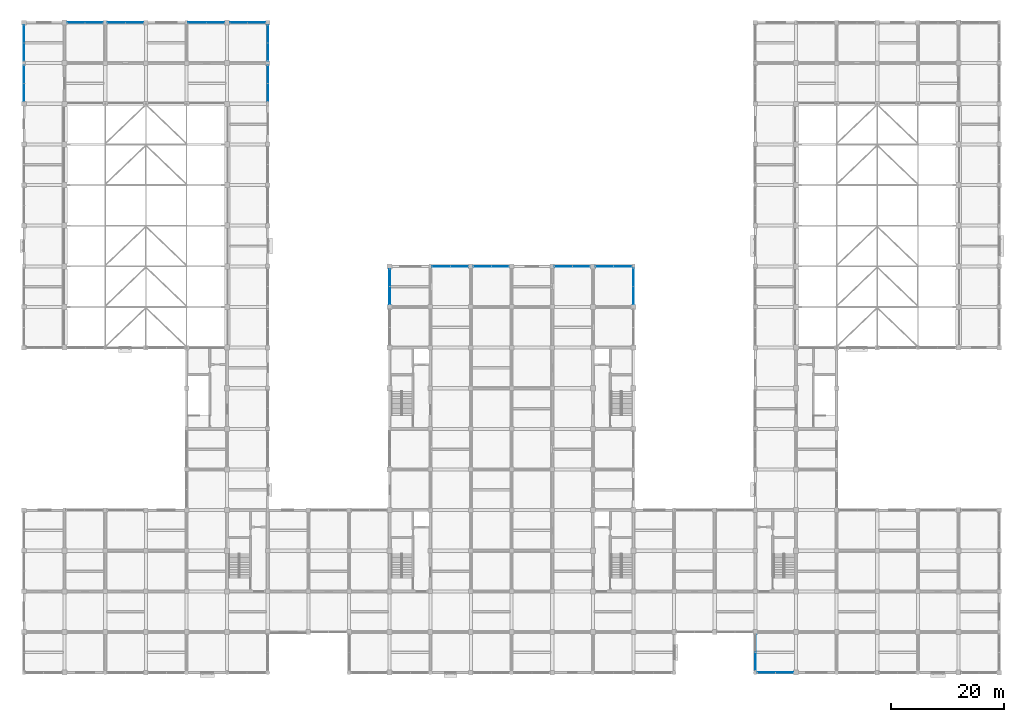
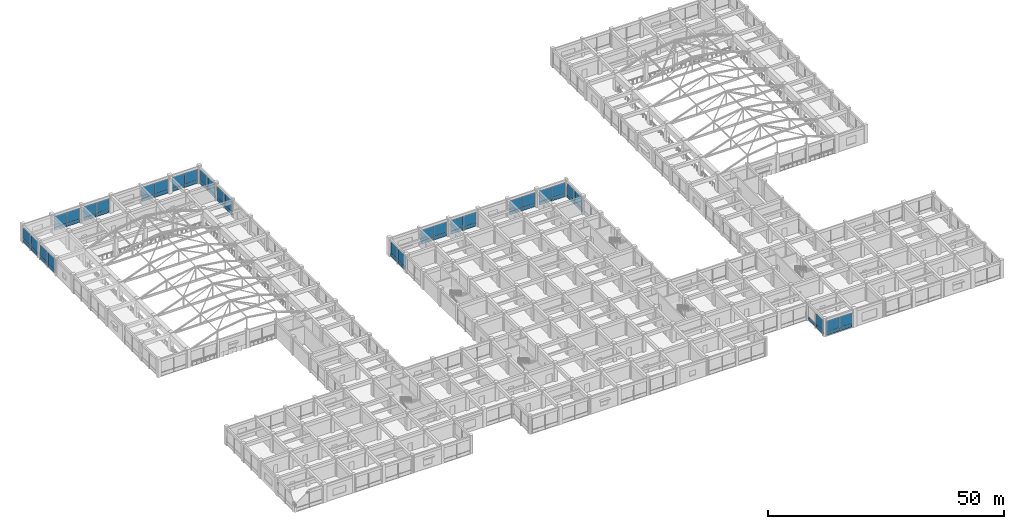
# One storey, part 50 of 75: 63 plates, 16 elements without a shape of their own.
"""IFC4 building model written with IfcOpenShell, lengths in metres."""

from ifc_helpers import new_model, si_unit, direction, frame, origin, origin_2d, place, context, subcontext, project, spatial, rectangle, extrude, material, layer, layer_set, type_object, element, aggregate, save


model = new_model("IFC4")

# Units and contexts
model_context = context("Model", 3, precision=1e-05, world=origin(), true_north=direction((0.0, 1.0)))
body_context = subcontext(model_context, "Body", "Model", "MODEL_VIEW")
ifc_project = project(units=[si_unit("LENGTHUNIT", "METRE"), si_unit("AREAUNIT", "SQUARE_METRE"), si_unit("VOLUMEUNIT", "CUBIC_METRE"), si_unit("PLANEANGLEUNIT", "RADIAN"), si_unit("MASSUNIT", "GRAM", prefix="KILO")], contexts=[model_context])

# Site, building, storey
site_placement = place(None, origin())
site = spatial("IfcSite", under=ifc_project, at=site_placement, CompositionType="ELEMENT")
building_placement = place(site_placement, origin())
building = spatial("IfcBuilding", under=site, at=building_placement, Name="Cendaluz Park School", CompositionType="ELEMENT")
storey_placement = place(building_placement, frame((0.0, 0.0, 4.800048828125)))
storey = spatial("IfcBuildingStorey", under=building, at=storey_placement, Name="L01", CompositionType="ELEMENT", Elevation=4.800048828125)

# Curtain wall, plates
ifc_material_1 = material(Name="Anodised Aluminium 6063-T6", Category="aluminium")
ifc_layer_1 = layer(ifc_material_1, 0.179931640625)
ifc_layer_set_1 = layer_set([ifc_layer_1], Name="Anodised Aluminium 6063-T6")
curtain_wall_type_1 = type_object("IfcCurtainWallType", Name="CW-128x77", PredefinedType="NOTDEFINED", material=ifc_layer_set_1)
curtain_wall_1_placement = place(storey_placement, origin())
curtain_wall_1 = element("IfcCurtainWall", 1, at=curtain_wall_1_placement, inside=storey, type_object=curtain_wall_type_1, Name="CW-L01-017", PredefinedType="NOTDEFINED")
ifc_material_2 = material(Name="Tempered Low-E Double Glazing", Category="glass")
ifc_layer_2 = layer(ifc_material_2, 0.028076171875)
ifc_layer_set_2 = layer_set([ifc_layer_2], Name="Tempered Low-E Double Glazing")
plate_type_1 = type_object("IfcPlateType", Name="CWP-G01", PredefinedType="CURTAIN_PANEL", material=ifc_layer_set_2)
plate_1_placement = place(storey_placement, frame((16.41748046875, 115.199951171875, 0.93505859375), z_axis=(0.0, 0.0, 1.0), x_axis=(1.0, 0.0, 0.0)))
plate_1 = element("IfcPlate", 2, at=plate_1_placement, type_object=plate_type_1, Name="CP-L01-0216", PredefinedType="CURTAIN_PANEL", context=body_context, shape_type="SweptSolid", body=[
    extrude(rectangle(XDim=3.094970703125, YDim=0.028076171875, at=origin_2d()), origin(), (0.0, 0.0, 1.0), 2.844970703125),
])
plate_2_placement = place(storey_placement, frame((19.58251953125, 115.199951171875, 0.93505859375), z_axis=(0.0, 0.0, 1.0), x_axis=(1.0, 0.0, 0.0)))
plate_2 = element("IfcPlate", 3, at=plate_2_placement, type_object=plate_type_1, Name="CP-L01-0221", PredefinedType="CURTAIN_PANEL", context=body_context, shape_type="SweptSolid", body=[
    extrude(rectangle(XDim=3.094970703125, YDim=0.028076171875, at=origin_2d()), origin(), (0.0, 0.0, 1.0), 2.844970703125),
])

curtain_wall_2_placement = place(storey_placement, origin())
curtain_wall_2 = element("IfcCurtainWall", 4, at=curtain_wall_2_placement, inside=storey, type_object=curtain_wall_type_1, Name="CW-L01-031", PredefinedType="NOTDEFINED")
plate_3_placement = place(storey_placement, frame((43.199951171875, 102.798828125, 0.93505859375), z_axis=(0.0, 0.0, 1.0), x_axis=(0.0, 1.0, 0.0)))
plate_3 = element("IfcPlate", 5, at=plate_3_placement, type_object=plate_type_1, Name="CP-L01-0398", PredefinedType="CURTAIN_PANEL", context=body_context, shape_type="SweptSolid", body=[
    extrude(rectangle(XDim=3.107421875, YDim=0.028076171875, at=origin_2d()), origin(), (0.0, 0.0, 1.0), 2.844970703125),
])
plate_4_placement = place(storey_placement, frame((43.199951171875, 105.976318359375, 0.93505859375), z_axis=(0.0, 0.0, 1.0), x_axis=(0.0, 1.0, 0.0)))
plate_4 = element("IfcPlate", 6, at=plate_4_placement, type_object=plate_type_1, Name="CP-L01-0403", PredefinedType="CURTAIN_PANEL", context=body_context, shape_type="SweptSolid", body=[
    extrude(rectangle(XDim=3.107421875, YDim=0.028076171875, at=origin_2d()), origin(), (0.0, 0.0, 1.0), 2.844970703125),
])

curtain_wall_3_placement = place(storey_placement, origin())
curtain_wall_3 = element("IfcCurtainWall", 7, at=curtain_wall_3_placement, inside=storey, type_object=curtain_wall_type_1, Name="CW-L01-033", PredefinedType="NOTDEFINED")
plate_5_placement = place(storey_placement, frame((43.199951171875, 110.017578125, 0.93505859375), z_axis=(0.0, 0.0, 1.0), x_axis=(0.0, 1.0, 0.0)))
plate_5 = element("IfcPlate", 8, at=plate_5_placement, type_object=plate_type_1, Name="CP-L01-0424", PredefinedType="CURTAIN_PANEL", context=body_context, shape_type="SweptSolid", body=[
    extrude(rectangle(XDim=3.094970703125, YDim=0.028076171875, at=origin_2d()), origin(), (0.0, 0.0, 1.0), 2.844970703125),
])
plate_6_placement = place(storey_placement, frame((43.199951171875, 113.1826171875, 0.93505859375), z_axis=(0.0, 0.0, 1.0), x_axis=(0.0, 1.0, 0.0)))
plate_6 = element("IfcPlate", 9, at=plate_6_placement, type_object=plate_type_1, Name="CP-L01-0429", PredefinedType="CURTAIN_PANEL", context=body_context, shape_type="SweptSolid", body=[
    extrude(rectangle(XDim=3.094970703125, YDim=0.028076171875, at=origin_2d()), origin(), (0.0, 0.0, 1.0), 2.844970703125),
])

ifc_layer_3 = layer(ifc_material_1, 0.179931640625)
ifc_layer_set_3 = layer_set([ifc_layer_3], Name="Anodised Aluminium 6063-T6")
curtain_wall_type_2 = type_object("IfcCurtainWallType", Name="CW-131x77", PredefinedType="NOTDEFINED", material=ifc_layer_set_3)
curtain_wall_4_placement = place(storey_placement, origin())
curtain_wall_4 = element("IfcCurtainWall", 10, at=curtain_wall_4_placement, inside=storey, type_object=curtain_wall_type_2, Name="CW-L01-043", PredefinedType="NOTDEFINED")
plate_7_placement = place(storey_placement, frame((73.905029296875, 72.0, 0.93505859375), z_axis=(0.0, 0.0, 1.0), x_axis=(1.0, 0.0, 0.0)))
plate_7 = element("IfcPlate", 11, at=plate_7_placement, type_object=plate_type_1, Name="CP-L01-0554", PredefinedType="CURTAIN_PANEL", context=body_context, shape_type="SweptSolid", body=[
    extrude(rectangle(XDim=3.169921875, YDim=0.028076171875, at=origin_2d()), origin(), (0.0, 0.0, 1.0), 2.844970703125),
])
plate_8_placement = place(storey_placement, frame((77.14501953125, 72.0, 0.93505859375), z_axis=(0.0, 0.0, 1.0), x_axis=(1.0, 0.0, 0.0)))
plate_8 = element("IfcPlate", 12, at=plate_8_placement, type_object=plate_type_1, Name="CP-L01-0559", PredefinedType="CURTAIN_PANEL", context=body_context, shape_type="SweptSolid", body=[
    extrude(rectangle(XDim=3.169921875, YDim=0.028076171875, at=origin_2d()), origin(), (0.0, 0.0, 1.0), 2.844970703125),
])

ifc_layer_4 = layer(ifc_material_1, 0.179931640625)
ifc_layer_set_4 = layer_set([ifc_layer_4], Name="Anodised Aluminium 6063-T6")
curtain_wall_type_3 = type_object("IfcCurtainWallType", Name="CW-130x77", PredefinedType="NOTDEFINED", material=ifc_layer_set_4)
curtain_wall_5_placement = place(storey_placement, origin())
curtain_wall_5 = element("IfcCurtainWall", 13, at=curtain_wall_5_placement, inside=storey, type_object=curtain_wall_type_3, Name="CW-L01-051", PredefinedType="NOTDEFINED")
plate_9_placement = place(storey_placement, frame((102.892578125, 72.0, 0.93505859375), z_axis=(0.0, 0.0, 1.0), x_axis=(1.0, 0.0, 0.0)))
plate_9 = element("IfcPlate", 14, at=plate_9_placement, type_object=plate_type_1, Name="CP-L01-0658", PredefinedType="CURTAIN_PANEL", context=body_context, shape_type="SweptSolid", body=[
    extrude(rectangle(XDim=3.14501953125, YDim=0.028076171875, at=origin_2d()), origin(), (0.0, 0.0, 1.0), 2.844970703125),
])
plate_10_placement = place(storey_placement, frame((106.107421875, 72.0, 0.93505859375), z_axis=(0.0, 0.0, 1.0), x_axis=(1.0, 0.0, 0.0)))
plate_10 = element("IfcPlate", 15, at=plate_10_placement, type_object=plate_type_1, Name="CP-L01-0663", PredefinedType="CURTAIN_PANEL", context=body_context, shape_type="SweptSolid", body=[
    extrude(rectangle(XDim=3.14501953125, YDim=0.028076171875, at=origin_2d()), origin(), (0.0, 0.0, 1.0), 2.844970703125),
])

curtain_wall_6_placement = place(storey_placement, origin())
curtain_wall_6 = element("IfcCurtainWall", 16, at=curtain_wall_6_placement, inside=storey, type_object=curtain_wall_type_1, Name="CW-L01-058", PredefinedType="NOTDEFINED")
plate_11_placement = place(storey_placement, frame((131.586181640625, 0.0, 0.93505859375), z_axis=(0.0, 0.0, 1.0), x_axis=(1.0, 0.0, 0.0)))
plate_11 = element("IfcPlate", 17, at=plate_11_placement, type_object=plate_type_1, Name="CP-L01-0749", PredefinedType="CURTAIN_PANEL", context=body_context, shape_type="SweptSolid", body=[
    extrude(rectangle(XDim=3.08251953125, YDim=0.028076171875, at=origin_2d()), origin(), (0.0, 0.0, 1.0), 2.844970703125),
])
plate_12_placement = place(storey_placement, frame((134.73876953125, 0.0, 0.93505859375), z_axis=(0.0, 0.0, 1.0), x_axis=(1.0, 0.0, 0.0)))
plate_12 = element("IfcPlate", 18, at=plate_12_placement, type_object=plate_type_1, Name="CP-L01-0754", PredefinedType="CURTAIN_PANEL", context=body_context, shape_type="SweptSolid", body=[
    extrude(rectangle(XDim=3.08251953125, YDim=0.028076171875, at=origin_2d()), origin(), (0.0, 0.0, 1.0), 2.844970703125),
])

# Curtain wall, plate
curtain_wall_7_placement = place(storey_placement, origin())
curtain_wall_7 = element("IfcCurtainWall", 19, at=curtain_wall_7_placement, inside=storey, type_object=curtain_wall_type_1, Name="CW-L01-059", PredefinedType="NOTDEFINED")
plate_13_placement = place(storey_placement, frame((129.60009765625, 1.998779296875, 0.93505859375), z_axis=(0.0, 0.0, 1.0), x_axis=(0.0, 1.0, 0.0)))
plate_13 = element("IfcPlate", 20, at=plate_13_placement, type_object=plate_type_1, Name="CP-L01-0762", PredefinedType="CURTAIN_PANEL", context=body_context, shape_type="SweptSolid", body=[
    extrude(rectangle(XDim=3.107421875, YDim=0.028076171875, at=origin_2d()), origin(), (0.0, 0.0, 1.0), 2.844970703125),
])

# Curtain wall, plates
curtain_wall_8_placement = place(storey_placement, origin())
curtain_wall_8 = element("IfcCurtainWall", 21, at=curtain_wall_8_placement, inside=storey, type_object=curtain_wall_type_1, Name="CW-L01-045", PredefinedType="NOTDEFINED")
ifc_layer_5 = layer(ifc_material_2, 0.0380859375)
ifc_layer_set_5 = layer_set([ifc_layer_5], Name="Tempered Low-E Double Glazing")
plate_type_2 = type_object("IfcPlateType", Name="CWP-G02", PredefinedType="CURTAIN_PANEL", material=ifc_layer_set_5)
plate_14_placement = place(storey_placement, frame((81.217529296875, 72.0, 0.93505859375), z_axis=(0.0, 0.0, 1.0), x_axis=(1.0, 0.0, 0.0)))
plate_14 = element("IfcPlate", 22, at=plate_14_placement, type_object=plate_type_2, Name="CP-L01-0580", PredefinedType="CURTAIN_PANEL", context=body_context, shape_type="SweptSolid", body=[
    extrude(rectangle(XDim=3.094970703125, YDim=0.0380859375, at=origin_2d()), origin(), (0.0, 0.0, 1.0), 2.844970703125),
])
plate_15_placement = place(storey_placement, frame((84.382568359375, 72.0, 0.93505859375), z_axis=(0.0, 0.0, 1.0), x_axis=(1.0, 0.0, 0.0)))
plate_15 = element("IfcPlate", 23, at=plate_15_placement, type_object=plate_type_2, Name="CP-L01-0585", PredefinedType="CURTAIN_PANEL", context=body_context, shape_type="SweptSolid", body=[
    extrude(rectangle(XDim=3.094970703125, YDim=0.0380859375, at=origin_2d()), origin(), (0.0, 0.0, 1.0), 2.844970703125),
])

curtain_wall_9_placement = place(storey_placement, origin())
curtain_wall_9 = element("IfcCurtainWall", 24, at=curtain_wall_9_placement, inside=storey, type_object=curtain_wall_type_1, Name="CW-L01-052", PredefinedType="NOTDEFINED")
plate_16_placement = place(storey_placement, frame((108.0, 66.861328125, 0.93505859375), z_axis=(0.0, 0.0, 1.0), x_axis=(0.0, 1.0, 0.0)))
plate_16 = element("IfcPlate", 25, at=plate_16_placement, type_object=plate_type_2, Name="CP-L01-0671", PredefinedType="CURTAIN_PANEL", context=body_context, shape_type="SweptSolid", body=[
    extrude(rectangle(XDim=3.08251953125, YDim=0.0380859375, at=origin_2d()), origin(), (0.0, 0.0, 1.0), 2.844970703125),
])
plate_17_placement = place(storey_placement, frame((108.0, 70.013671875, 0.93505859375), z_axis=(0.0, 0.0, 1.0), x_axis=(0.0, 1.0, 0.0)))
plate_17 = element("IfcPlate", 26, at=plate_17_placement, type_object=plate_type_2, Name="CP-L01-0676", PredefinedType="CURTAIN_PANEL", context=body_context, shape_type="SweptSolid", body=[
    extrude(rectangle(XDim=3.08251953125, YDim=0.0380859375, at=origin_2d()), origin(), (0.0, 0.0, 1.0), 2.844970703125),
])

curtain_wall_10_placement = place(storey_placement, origin())
curtain_wall_10 = element("IfcCurtainWall", 27, at=curtain_wall_10_placement, inside=storey, type_object=curtain_wall_type_1, Name="CW-L01-010", PredefinedType="NOTDEFINED")
ifc_layer_6 = layer(ifc_material_2, 0.048095703125)
ifc_layer_set_6 = layer_set([ifc_layer_6], Name="Tempered Low-E Double Glazing")
plate_type_3 = type_object("IfcPlateType", Name="CWP-G03", PredefinedType="CURTAIN_PANEL", material=ifc_layer_set_6)
plate_18_placement = place(storey_placement, frame((0.0, 102.82373046875, 0.93505859375), z_axis=(0.0, 0.0, 1.0), x_axis=(0.0, 1.0, 0.0)))
plate_18 = element("IfcPlate", 28, at=plate_18_placement, type_object=plate_type_3, Name="CP-L01-0125", PredefinedType="CURTAIN_PANEL", context=body_context, shape_type="SweptSolid", body=[
    extrude(rectangle(XDim=3.107421875, YDim=0.048095703125, at=origin_2d()), origin(), (0.0, 0.0, 1.0), 2.844970703125),
])
plate_19_placement = place(storey_placement, frame((0.0, 106.001220703125, 0.93505859375), z_axis=(0.0, 0.0, 1.0), x_axis=(0.0, 1.0, 0.0)))
plate_19 = element("IfcPlate", 29, at=plate_19_placement, type_object=plate_type_3, Name="CP-L01-0130", PredefinedType="CURTAIN_PANEL", context=body_context, shape_type="SweptSolid", body=[
    extrude(rectangle(XDim=3.107421875, YDim=0.048095703125, at=origin_2d()), origin(), (0.0, 0.0, 1.0), 2.844970703125),
])

curtain_wall_11_placement = place(storey_placement, origin())
curtain_wall_11 = element("IfcCurtainWall", 30, at=curtain_wall_11_placement, inside=storey, type_object=curtain_wall_type_1, Name="CW-L01-011", PredefinedType="NOTDEFINED")
plate_20_placement = place(storey_placement, frame((0.0, 109.998779296875, 0.93505859375), z_axis=(0.0, 0.0, 1.0), x_axis=(0.0, 1.0, 0.0)))
plate_20 = element("IfcPlate", 31, at=plate_20_placement, type_object=plate_type_3, Name="CP-L01-0138", PredefinedType="CURTAIN_PANEL", context=body_context, shape_type="SweptSolid", body=[
    extrude(rectangle(XDim=3.107421875, YDim=0.048095703125, at=origin_2d()), origin(), (0.0, 0.0, 1.0), 2.844970703125),
])
plate_21_placement = place(storey_placement, frame((0.0, 113.17626953125, 0.93505859375), z_axis=(0.0, 0.0, 1.0), x_axis=(0.0, 1.0, 0.0)))
plate_21 = element("IfcPlate", 32, at=plate_21_placement, type_object=plate_type_3, Name="CP-L01-0143", PredefinedType="CURTAIN_PANEL", context=body_context, shape_type="SweptSolid", body=[
    extrude(rectangle(XDim=3.107421875, YDim=0.048095703125, at=origin_2d()), origin(), (0.0, 0.0, 1.0), 2.844970703125),
])

curtain_wall_12_placement = place(storey_placement, origin())
curtain_wall_12 = element("IfcCurtainWall", 33, at=curtain_wall_12_placement, inside=storey, type_object=curtain_wall_type_3, Name="CW-L01-022", PredefinedType="NOTDEFINED")
plate_22_placement = place(storey_placement, frame((30.6923828125, 115.199951171875, 0.93505859375), z_axis=(0.0, 0.0, 1.0), x_axis=(1.0, 0.0, 0.0)))
plate_22 = element("IfcPlate", 34, at=plate_22_placement, type_object=plate_type_3, Name="CP-L01-0281", PredefinedType="CURTAIN_PANEL", context=body_context, shape_type="SweptSolid", body=[
    extrude(rectangle(XDim=3.14501953125, YDim=0.048095703125, at=origin_2d()), origin(), (0.0, 0.0, 1.0), 2.844970703125),
])
plate_23_placement = place(storey_placement, frame((33.907470703125, 115.199951171875, 0.93505859375), z_axis=(0.0, 0.0, 1.0), x_axis=(1.0, 0.0, 0.0)))
plate_23 = element("IfcPlate", 35, at=plate_23_placement, type_object=plate_type_3, Name="CP-L01-0286", PredefinedType="CURTAIN_PANEL", context=body_context, shape_type="SweptSolid", body=[
    extrude(rectangle(XDim=3.14501953125, YDim=0.048095703125, at=origin_2d()), origin(), (0.0, 0.0, 1.0), 2.844970703125),
])

ifc_layer_7 = layer(ifc_material_1, 0.179931640625)
ifc_layer_set_7 = layer_set([ifc_layer_7], Name="Anodised Aluminium 6063-T6")
curtain_wall_type_4 = type_object("IfcCurtainWallType", Name="CW-127x77", PredefinedType="NOTDEFINED", material=ifc_layer_set_7)
curtain_wall_13_placement = place(storey_placement, origin())
curtain_wall_13 = element("IfcCurtainWall", 36, at=curtain_wall_13_placement, inside=storey, type_object=curtain_wall_type_4, Name="CW-L01-014", PredefinedType="NOTDEFINED")
ifc_layer_8 = layer(ifc_material_2, 0.05810546875)
ifc_layer_set_8 = layer_set([ifc_layer_8], Name="Tempered Low-E Double Glazing")
plate_type_4 = type_object("IfcPlateType", Name="CWP-G04", PredefinedType="CURTAIN_PANEL", material=ifc_layer_set_8)
plate_24_placement = place(storey_placement, frame((9.2548828125, 115.199951171875, 0.93505859375), z_axis=(0.0, 0.0, 1.0), x_axis=(1.0, 0.0, 0.0)))
plate_24 = element("IfcPlate", 37, at=plate_24_placement, type_object=plate_type_4, Name="CP-L01-0177", PredefinedType="CURTAIN_PANEL", context=body_context, shape_type="SweptSolid", body=[
    extrude(rectangle(XDim=3.070068359375, YDim=0.05810546875, at=origin_2d()), origin(), (0.0, 0.0, 1.0), 2.844970703125),
])
plate_25_placement = place(storey_placement, frame((12.39501953125, 115.199951171875, 0.93505859375), z_axis=(0.0, 0.0, 1.0), x_axis=(1.0, 0.0, 0.0)))
plate_25 = element("IfcPlate", 38, at=plate_25_placement, type_object=plate_type_4, Name="CP-L01-0182", PredefinedType="CURTAIN_PANEL", context=body_context, shape_type="SweptSolid", body=[
    extrude(rectangle(XDim=3.070068359375, YDim=0.05810546875, at=origin_2d()), origin(), (0.0, 0.0, 1.0), 2.844970703125),
])

curtain_wall_14_placement = place(storey_placement, origin())
curtain_wall_14 = element("IfcCurtainWall", 39, at=curtain_wall_14_placement, inside=storey, type_object=curtain_wall_type_4, Name="CW-L01-032", PredefinedType="NOTDEFINED")
plate_26_placement = place(storey_placement, frame((38.054931640625, 115.199951171875, 0.93505859375), z_axis=(0.0, 0.0, 1.0), x_axis=(1.0, 0.0, 0.0)))
plate_26 = element("IfcPlate", 40, at=plate_26_placement, type_object=plate_type_4, Name="CP-L01-0411", PredefinedType="CURTAIN_PANEL", context=body_context, shape_type="SweptSolid", body=[
    extrude(rectangle(XDim=3.070068359375, YDim=0.05810546875, at=origin_2d()), origin(), (0.0, 0.0, 1.0), 2.844970703125),
])
plate_27_placement = place(storey_placement, frame((41.195068359375, 115.199951171875, 0.93505859375), z_axis=(0.0, 0.0, 1.0), x_axis=(1.0, 0.0, 0.0)))
plate_27 = element("IfcPlate", 41, at=plate_27_placement, type_object=plate_type_4, Name="CP-L01-0416", PredefinedType="CURTAIN_PANEL", context=body_context, shape_type="SweptSolid", body=[
    extrude(rectangle(XDim=3.070068359375, YDim=0.05810546875, at=origin_2d()), origin(), (0.0, 0.0, 1.0), 2.844970703125),
])

ifc_layer_9 = layer(ifc_material_1, 0.179931640625)
ifc_layer_set_9 = layer_set([ifc_layer_9], Name="Anodised Aluminium 6063-T6")
curtain_wall_type_5 = type_object("IfcCurtainWallType", Name="CW-126x77", PredefinedType="NOTDEFINED", material=ifc_layer_set_9)
curtain_wall_15_placement = place(storey_placement, origin())
curtain_wall_15 = element("IfcCurtainWall", 42, at=curtain_wall_15_placement, inside=storey, type_object=curtain_wall_type_5, Name="CW-L01-042", PredefinedType="NOTDEFINED")
plate_28_placement = place(storey_placement, frame((64.800048828125, 66.842529296875, 0.93505859375), z_axis=(0.0, 0.0, 1.0), x_axis=(0.0, 1.0, 0.0)))
plate_28 = element("IfcPlate", 43, at=plate_28_placement, type_object=plate_type_4, Name="CP-L01-0541", PredefinedType="CURTAIN_PANEL", context=body_context, shape_type="SweptSolid", body=[
    extrude(rectangle(XDim=3.044921875, YDim=0.05810546875, at=origin_2d()), origin(), (0.0, 0.0, 1.0), 2.844970703125),
])
plate_29_placement = place(storey_placement, frame((64.800048828125, 69.95751953125, 0.93505859375), z_axis=(0.0, 0.0, 1.0), x_axis=(0.0, 1.0, 0.0)))
plate_29 = element("IfcPlate", 44, at=plate_29_placement, type_object=plate_type_4, Name="CP-L01-0546", PredefinedType="CURTAIN_PANEL", context=body_context, shape_type="SweptSolid", body=[
    extrude(rectangle(XDim=3.044921875, YDim=0.05810546875, at=origin_2d()), origin(), (0.0, 0.0, 1.0), 2.844970703125),
])

curtain_wall_16_placement = place(storey_placement, origin())
curtain_wall_16 = element("IfcCurtainWall", 45, at=curtain_wall_16_placement, inside=storey, type_object=curtain_wall_type_4, Name="CW-L01-047", PredefinedType="NOTDEFINED")
plate_30_placement = place(storey_placement, frame((95.60498046875, 72.0, 0.93505859375), z_axis=(0.0, 0.0, 1.0), x_axis=(1.0, 0.0, 0.0)))
plate_30 = element("IfcPlate", 46, at=plate_30_placement, type_object=plate_type_4, Name="CP-L01-0606", PredefinedType="CURTAIN_PANEL", context=body_context, shape_type="SweptSolid", body=[
    extrude(rectangle(XDim=3.070068359375, YDim=0.05810546875, at=origin_2d()), origin(), (0.0, 0.0, 1.0), 2.844970703125),
])
plate_31_placement = place(storey_placement, frame((98.7451171875, 72.0, 0.93505859375), z_axis=(0.0, 0.0, 1.0), x_axis=(1.0, 0.0, 0.0)))
plate_31 = element("IfcPlate", 47, at=plate_31_placement, type_object=plate_type_4, Name="CP-L01-0611", PredefinedType="CURTAIN_PANEL", context=body_context, shape_type="SweptSolid", body=[
    extrude(rectangle(XDim=3.070068359375, YDim=0.05810546875, at=origin_2d()), origin(), (0.0, 0.0, 1.0), 2.844970703125),
])

# Plate
ifc_layer_10 = layer(ifc_material_1, 0.080078125)
ifc_layer_set_10 = layer_set([ifc_layer_10], Name="Anodised Aluminium 6063-T6")
plate_type_5 = type_object("IfcPlateType", Name="CWP-S01", PredefinedType="CURTAIN_PANEL", material=ifc_layer_set_10)
plate_32_placement = place(storey_placement, frame((0.0, 102.82373046875, 0.070068359375), z_axis=(0.0, 0.0, 1.0), x_axis=(0.0, 1.0, 0.0)))
plate_32 = element("IfcPlate", 48, at=plate_32_placement, type_object=plate_type_5, Name="CP-L01-0124", PredefinedType="CURTAIN_PANEL", context=body_context, shape_type="SweptSolid", body=[
    extrude(rectangle(XDim=3.107421875, YDim=0.080078125, at=origin_2d()), origin(), (0.0, 0.0, 1.0), 0.794921875),
])

plate_33_placement = place(storey_placement, frame((0.0, 106.001220703125, 0.070068359375), z_axis=(0.0, 0.0, 1.0), x_axis=(0.0, 1.0, 0.0)))
plate_33 = element("IfcPlate", 49, at=plate_33_placement, type_object=plate_type_5, Name="CP-L01-0129", PredefinedType="CURTAIN_PANEL", context=body_context, shape_type="SweptSolid", body=[
    extrude(rectangle(XDim=3.107421875, YDim=0.080078125, at=origin_2d()), origin(), (0.0, 0.0, 1.0), 0.794921875),
])

aggregate(curtain_wall_10, [plate_32, plate_18, plate_33, plate_19])

plate_34_placement = place(storey_placement, frame((43.199951171875, 102.798828125, 0.070068359375), z_axis=(0.0, 0.0, 1.0), x_axis=(0.0, 1.0, 0.0)))
plate_34 = element("IfcPlate", 50, at=plate_34_placement, type_object=plate_type_5, Name="CP-L01-0397", PredefinedType="CURTAIN_PANEL", context=body_context, shape_type="SweptSolid", body=[
    extrude(rectangle(XDim=3.107421875, YDim=0.080078125, at=origin_2d()), origin(), (0.0, 0.0, 1.0), 0.794921875),
])

plate_35_placement = place(storey_placement, frame((43.199951171875, 105.976318359375, 0.070068359375), z_axis=(0.0, 0.0, 1.0), x_axis=(0.0, 1.0, 0.0)))
plate_35 = element("IfcPlate", 51, at=plate_35_placement, type_object=plate_type_5, Name="CP-L01-0402", PredefinedType="CURTAIN_PANEL", context=body_context, shape_type="SweptSolid", body=[
    extrude(rectangle(XDim=3.107421875, YDim=0.080078125, at=origin_2d()), origin(), (0.0, 0.0, 1.0), 0.794921875),
])

aggregate(curtain_wall_2, [plate_34, plate_3, plate_35, plate_4])

plate_36_placement = place(storey_placement, frame((73.905029296875, 72.0, 0.070068359375), z_axis=(0.0, 0.0, 1.0), x_axis=(1.0, 0.0, 0.0)))
plate_36 = element("IfcPlate", 52, at=plate_36_placement, type_object=plate_type_5, Name="CP-L01-0553", PredefinedType="CURTAIN_PANEL", context=body_context, shape_type="SweptSolid", body=[
    extrude(rectangle(XDim=3.169921875, YDim=0.080078125, at=origin_2d()), origin(), (0.0, 0.0, 1.0), 0.794921875),
])

plate_37_placement = place(storey_placement, frame((77.14501953125, 72.0, 0.070068359375), z_axis=(0.0, 0.0, 1.0), x_axis=(1.0, 0.0, 0.0)))
plate_37 = element("IfcPlate", 53, at=plate_37_placement, type_object=plate_type_5, Name="CP-L01-0558", PredefinedType="CURTAIN_PANEL", context=body_context, shape_type="SweptSolid", body=[
    extrude(rectangle(XDim=3.169921875, YDim=0.080078125, at=origin_2d()), origin(), (0.0, 0.0, 1.0), 0.794921875),
])

aggregate(curtain_wall_4, [plate_36, plate_7, plate_37, plate_8])

plate_38_placement = place(storey_placement, frame((81.217529296875, 72.0, 0.070068359375), z_axis=(0.0, 0.0, 1.0), x_axis=(1.0, 0.0, 0.0)))
plate_38 = element("IfcPlate", 54, at=plate_38_placement, type_object=plate_type_5, Name="CP-L01-0579", PredefinedType="CURTAIN_PANEL", context=body_context, shape_type="SweptSolid", body=[
    extrude(rectangle(XDim=3.094970703125, YDim=0.080078125, at=origin_2d()), origin(), (0.0, 0.0, 1.0), 0.794921875),
])

plate_39_placement = place(storey_placement, frame((84.382568359375, 72.0, 0.070068359375), z_axis=(0.0, 0.0, 1.0), x_axis=(1.0, 0.0, 0.0)))
plate_39 = element("IfcPlate", 55, at=plate_39_placement, type_object=plate_type_5, Name="CP-L01-0584", PredefinedType="CURTAIN_PANEL", context=body_context, shape_type="SweptSolid", body=[
    extrude(rectangle(XDim=3.094970703125, YDim=0.080078125, at=origin_2d()), origin(), (0.0, 0.0, 1.0), 0.794921875),
])

aggregate(curtain_wall_8, [plate_38, plate_14, plate_39, plate_15])

plate_40_placement = place(storey_placement, frame((95.60498046875, 72.0, 0.070068359375), z_axis=(0.0, 0.0, 1.0), x_axis=(1.0, 0.0, 0.0)))
plate_40 = element("IfcPlate", 56, at=plate_40_placement, type_object=plate_type_5, Name="CP-L01-0605", PredefinedType="CURTAIN_PANEL", context=body_context, shape_type="SweptSolid", body=[
    extrude(rectangle(XDim=3.070068359375, YDim=0.080078125, at=origin_2d()), origin(), (0.0, 0.0, 1.0), 0.794921875),
])

plate_41_placement = place(storey_placement, frame((98.7451171875, 72.0, 0.070068359375), z_axis=(0.0, 0.0, 1.0), x_axis=(1.0, 0.0, 0.0)))
plate_41 = element("IfcPlate", 57, at=plate_41_placement, type_object=plate_type_5, Name="CP-L01-0610", PredefinedType="CURTAIN_PANEL", context=body_context, shape_type="SweptSolid", body=[
    extrude(rectangle(XDim=3.070068359375, YDim=0.080078125, at=origin_2d()), origin(), (0.0, 0.0, 1.0), 0.794921875),
])

aggregate(curtain_wall_16, [plate_40, plate_30, plate_41, plate_31])

plate_42_placement = place(storey_placement, frame((102.892578125, 72.0, 0.070068359375), z_axis=(0.0, 0.0, 1.0), x_axis=(1.0, 0.0, 0.0)))
plate_42 = element("IfcPlate", 58, at=plate_42_placement, type_object=plate_type_5, Name="CP-L01-0657", PredefinedType="CURTAIN_PANEL", context=body_context, shape_type="SweptSolid", body=[
    extrude(rectangle(XDim=3.14501953125, YDim=0.080078125, at=origin_2d()), origin(), (0.0, 0.0, 1.0), 0.794921875),
])

plate_43_placement = place(storey_placement, frame((106.107421875, 72.0, 0.070068359375), z_axis=(0.0, 0.0, 1.0), x_axis=(1.0, 0.0, 0.0)))
plate_43 = element("IfcPlate", 59, at=plate_43_placement, type_object=plate_type_5, Name="CP-L01-0662", PredefinedType="CURTAIN_PANEL", context=body_context, shape_type="SweptSolid", body=[
    extrude(rectangle(XDim=3.14501953125, YDim=0.080078125, at=origin_2d()), origin(), (0.0, 0.0, 1.0), 0.794921875),
])

aggregate(curtain_wall_5, [plate_42, plate_9, plate_43, plate_10])

ifc_layer_11 = layer(ifc_material_1, 0.094970703125)
ifc_layer_set_11 = layer_set([ifc_layer_11], Name="Anodised Aluminium 6063-T6")
plate_type_6 = type_object("IfcPlateType", Name="CWP-S02", PredefinedType="CURTAIN_PANEL", material=ifc_layer_set_11)
plate_44_placement = place(storey_placement, frame((0.0, 109.998779296875, 0.070068359375), z_axis=(0.0, 0.0, 1.0), x_axis=(0.0, 1.0, 0.0)))
plate_44 = element("IfcPlate", 60, at=plate_44_placement, type_object=plate_type_6, Name="CP-L01-0137", PredefinedType="CURTAIN_PANEL", context=body_context, shape_type="SweptSolid", body=[
    extrude(rectangle(XDim=3.107421875, YDim=0.094970703125, at=origin_2d()), origin(), (0.0, 0.0, 1.0), 0.794921875),
])

plate_45_placement = place(storey_placement, frame((0.0, 113.17626953125, 0.070068359375), z_axis=(0.0, 0.0, 1.0), x_axis=(0.0, 1.0, 0.0)))
plate_45 = element("IfcPlate", 61, at=plate_45_placement, type_object=plate_type_6, Name="CP-L01-0142", PredefinedType="CURTAIN_PANEL", context=body_context, shape_type="SweptSolid", body=[
    extrude(rectangle(XDim=3.107421875, YDim=0.094970703125, at=origin_2d()), origin(), (0.0, 0.0, 1.0), 0.794921875),
])

aggregate(curtain_wall_11, [plate_44, plate_20, plate_45, plate_21])

plate_46_placement = place(storey_placement, frame((43.199951171875, 110.017578125, 0.070068359375), z_axis=(0.0, 0.0, 1.0), x_axis=(0.0, 1.0, 0.0)))
plate_46 = element("IfcPlate", 62, at=plate_46_placement, type_object=plate_type_6, Name="CP-L01-0423", PredefinedType="CURTAIN_PANEL", context=body_context, shape_type="SweptSolid", body=[
    extrude(rectangle(XDim=3.094970703125, YDim=0.094970703125, at=origin_2d()), origin(), (0.0, 0.0, 1.0), 0.794921875),
])

plate_47_placement = place(storey_placement, frame((43.199951171875, 113.1826171875, 0.070068359375), z_axis=(0.0, 0.0, 1.0), x_axis=(0.0, 1.0, 0.0)))
plate_47 = element("IfcPlate", 63, at=plate_47_placement, type_object=plate_type_6, Name="CP-L01-0428", PredefinedType="CURTAIN_PANEL", context=body_context, shape_type="SweptSolid", body=[
    extrude(rectangle(XDim=3.094970703125, YDim=0.094970703125, at=origin_2d()), origin(), (0.0, 0.0, 1.0), 0.794921875),
])

aggregate(curtain_wall_3, [plate_46, plate_5, plate_47, plate_6])

ifc_layer_12 = layer(ifc_material_1, 0.110107421875)
ifc_layer_set_12 = layer_set([ifc_layer_12], Name="Anodised Aluminium 6063-T6")
plate_type_7 = type_object("IfcPlateType", Name="CWP-S03", PredefinedType="CURTAIN_PANEL", material=ifc_layer_set_12)
plate_48_placement = place(storey_placement, frame((9.2548828125, 115.199951171875, 0.070068359375), z_axis=(0.0, 0.0, 1.0), x_axis=(1.0, 0.0, 0.0)))
plate_48 = element("IfcPlate", 64, at=plate_48_placement, type_object=plate_type_7, Name="CP-L01-0176", PredefinedType="CURTAIN_PANEL", context=body_context, shape_type="SweptSolid", body=[
    extrude(rectangle(XDim=3.070068359375, YDim=0.110107421875, at=origin_2d()), origin(), (0.0, 0.0, 1.0), 0.794921875),
])

plate_49_placement = place(storey_placement, frame((12.39501953125, 115.199951171875, 0.070068359375), z_axis=(0.0, 0.0, 1.0), x_axis=(1.0, 0.0, 0.0)))
plate_49 = element("IfcPlate", 65, at=plate_49_placement, type_object=plate_type_7, Name="CP-L01-0181", PredefinedType="CURTAIN_PANEL", context=body_context, shape_type="SweptSolid", body=[
    extrude(rectangle(XDim=3.070068359375, YDim=0.110107421875, at=origin_2d()), origin(), (0.0, 0.0, 1.0), 0.794921875),
])

aggregate(curtain_wall_13, [plate_48, plate_24, plate_49, plate_25])

plate_50_placement = place(storey_placement, frame((16.41748046875, 115.199951171875, 0.070068359375), z_axis=(0.0, 0.0, 1.0), x_axis=(1.0, 0.0, 0.0)))
plate_50 = element("IfcPlate", 66, at=plate_50_placement, type_object=plate_type_7, Name="CP-L01-0215", PredefinedType="CURTAIN_PANEL", context=body_context, shape_type="SweptSolid", body=[
    extrude(rectangle(XDim=3.094970703125, YDim=0.110107421875, at=origin_2d()), origin(), (0.0, 0.0, 1.0), 0.794921875),
])

plate_51_placement = place(storey_placement, frame((19.58251953125, 115.199951171875, 0.070068359375), z_axis=(0.0, 0.0, 1.0), x_axis=(1.0, 0.0, 0.0)))
plate_51 = element("IfcPlate", 67, at=plate_51_placement, type_object=plate_type_7, Name="CP-L01-0220", PredefinedType="CURTAIN_PANEL", context=body_context, shape_type="SweptSolid", body=[
    extrude(rectangle(XDim=3.094970703125, YDim=0.110107421875, at=origin_2d()), origin(), (0.0, 0.0, 1.0), 0.794921875),
])

aggregate(curtain_wall_1, [plate_50, plate_1, plate_51, plate_2])

plate_52_placement = place(storey_placement, frame((30.6923828125, 115.199951171875, 0.070068359375), z_axis=(0.0, 0.0, 1.0), x_axis=(1.0, 0.0, 0.0)))
plate_52 = element("IfcPlate", 68, at=plate_52_placement, type_object=plate_type_7, Name="CP-L01-0280", PredefinedType="CURTAIN_PANEL", context=body_context, shape_type="SweptSolid", body=[
    extrude(rectangle(XDim=3.14501953125, YDim=0.110107421875, at=origin_2d()), origin(), (0.0, 0.0, 1.0), 0.794921875),
])

plate_53_placement = place(storey_placement, frame((33.907470703125, 115.199951171875, 0.070068359375), z_axis=(0.0, 0.0, 1.0), x_axis=(1.0, 0.0, 0.0)))
plate_53 = element("IfcPlate", 69, at=plate_53_placement, type_object=plate_type_7, Name="CP-L01-0285", PredefinedType="CURTAIN_PANEL", context=body_context, shape_type="SweptSolid", body=[
    extrude(rectangle(XDim=3.14501953125, YDim=0.110107421875, at=origin_2d()), origin(), (0.0, 0.0, 1.0), 0.794921875),
])

aggregate(curtain_wall_12, [plate_52, plate_22, plate_53, plate_23])

plate_54_placement = place(storey_placement, frame((38.054931640625, 115.199951171875, 0.070068359375), z_axis=(0.0, 0.0, 1.0), x_axis=(1.0, 0.0, 0.0)))
plate_54 = element("IfcPlate", 70, at=plate_54_placement, type_object=plate_type_7, Name="CP-L01-0410", PredefinedType="CURTAIN_PANEL", context=body_context, shape_type="SweptSolid", body=[
    extrude(rectangle(XDim=3.070068359375, YDim=0.110107421875, at=origin_2d()), origin(), (0.0, 0.0, 1.0), 0.794921875),
])

plate_55_placement = place(storey_placement, frame((41.195068359375, 115.199951171875, 0.070068359375), z_axis=(0.0, 0.0, 1.0), x_axis=(1.0, 0.0, 0.0)))
plate_55 = element("IfcPlate", 71, at=plate_55_placement, type_object=plate_type_7, Name="CP-L01-0415", PredefinedType="CURTAIN_PANEL", context=body_context, shape_type="SweptSolid", body=[
    extrude(rectangle(XDim=3.070068359375, YDim=0.110107421875, at=origin_2d()), origin(), (0.0, 0.0, 1.0), 0.794921875),
])

aggregate(curtain_wall_14, [plate_54, plate_26, plate_55, plate_27])

plate_56_placement = place(storey_placement, frame((131.586181640625, 0.0, 0.070068359375), z_axis=(0.0, 0.0, 1.0), x_axis=(1.0, 0.0, 0.0)))
plate_56 = element("IfcPlate", 72, at=plate_56_placement, type_object=plate_type_7, Name="CP-L01-0748", PredefinedType="CURTAIN_PANEL", context=body_context, shape_type="SweptSolid", body=[
    extrude(rectangle(XDim=3.08251953125, YDim=0.110107421875, at=origin_2d()), origin(), (0.0, 0.0, 1.0), 0.794921875),
])

plate_57_placement = place(storey_placement, frame((134.73876953125, 0.0, 0.070068359375), z_axis=(0.0, 0.0, 1.0), x_axis=(1.0, 0.0, 0.0)))
plate_57 = element("IfcPlate", 73, at=plate_57_placement, type_object=plate_type_7, Name="CP-L01-0753", PredefinedType="CURTAIN_PANEL", context=body_context, shape_type="SweptSolid", body=[
    extrude(rectangle(XDim=3.08251953125, YDim=0.110107421875, at=origin_2d()), origin(), (0.0, 0.0, 1.0), 0.794921875),
])

aggregate(curtain_wall_6, [plate_56, plate_11, plate_57, plate_12])

plate_58_placement = place(storey_placement, frame((129.60009765625, 1.998779296875, 0.070068359375), z_axis=(0.0, 0.0, 1.0), x_axis=(0.0, 1.0, 0.0)))
plate_58 = element("IfcPlate", 74, at=plate_58_placement, type_object=plate_type_7, Name="CP-L01-0761", PredefinedType="CURTAIN_PANEL", context=body_context, shape_type="SweptSolid", body=[
    extrude(rectangle(XDim=3.107421875, YDim=0.110107421875, at=origin_2d()), origin(), (0.0, 0.0, 1.0), 0.794921875),
])

plate_59_placement = place(storey_placement, frame((129.60009765625, 5.17626953125, 0.070068359375), z_axis=(0.0, 0.0, 1.0), x_axis=(0.0, 1.0, 0.0)))
plate_59 = element("IfcPlate", 75, at=plate_59_placement, type_object=plate_type_7, Name="CP-L01-0766", PredefinedType="CURTAIN_PANEL", context=body_context, shape_type="SweptSolid", body=[
    extrude(rectangle(XDim=3.107421875, YDim=0.110107421875, at=origin_2d()), origin(), (0.0, 0.0, 1.0), 0.794921875),
])

aggregate(curtain_wall_7, [plate_58, plate_13, plate_59])

ifc_layer_13 = layer(ifc_material_1, 0.125)
ifc_layer_set_13 = layer_set([ifc_layer_13], Name="Anodised Aluminium 6063-T6")
plate_type_8 = type_object("IfcPlateType", Name="CWP-S04", PredefinedType="CURTAIN_PANEL", material=ifc_layer_set_13)
plate_60_placement = place(storey_placement, frame((64.800048828125, 66.842529296875, 0.070068359375), z_axis=(0.0, 0.0, 1.0), x_axis=(0.0, 1.0, 0.0)))
plate_60 = element("IfcPlate", 76, at=plate_60_placement, type_object=plate_type_8, Name="CP-L01-0540", PredefinedType="CURTAIN_PANEL", context=body_context, shape_type="SweptSolid", body=[
    extrude(rectangle(XDim=3.044921875, YDim=0.125, at=origin_2d()), origin(), (0.0, 0.0, 1.0), 0.794921875),
])

plate_61_placement = place(storey_placement, frame((64.800048828125, 69.95751953125, 0.070068359375), z_axis=(0.0, 0.0, 1.0), x_axis=(0.0, 1.0, 0.0)))
plate_61 = element("IfcPlate", 77, at=plate_61_placement, type_object=plate_type_8, Name="CP-L01-0545", PredefinedType="CURTAIN_PANEL", context=body_context, shape_type="SweptSolid", body=[
    extrude(rectangle(XDim=3.044921875, YDim=0.125, at=origin_2d()), origin(), (0.0, 0.0, 1.0), 0.794921875),
])

aggregate(curtain_wall_15, [plate_60, plate_28, plate_61, plate_29])

plate_62_placement = place(storey_placement, frame((108.0, 66.861328125, 0.070068359375), z_axis=(0.0, 0.0, 1.0), x_axis=(0.0, 1.0, 0.0)))
plate_62 = element("IfcPlate", 78, at=plate_62_placement, type_object=plate_type_8, Name="CP-L01-0670", PredefinedType="CURTAIN_PANEL", context=body_context, shape_type="SweptSolid", body=[
    extrude(rectangle(XDim=3.08251953125, YDim=0.125, at=origin_2d()), origin(), (0.0, 0.0, 1.0), 0.794921875),
])

plate_63_placement = place(storey_placement, frame((108.0, 70.013671875, 0.070068359375), z_axis=(0.0, 0.0, 1.0), x_axis=(0.0, 1.0, 0.0)))
plate_63 = element("IfcPlate", 79, at=plate_63_placement, type_object=plate_type_8, Name="CP-L01-0675", PredefinedType="CURTAIN_PANEL", context=body_context, shape_type="SweptSolid", body=[
    extrude(rectangle(XDim=3.08251953125, YDim=0.125, at=origin_2d()), origin(), (0.0, 0.0, 1.0), 0.794921875),
])

aggregate(curtain_wall_9, [plate_62, plate_16, plate_63, plate_17])

save(model, "model.ifc")
